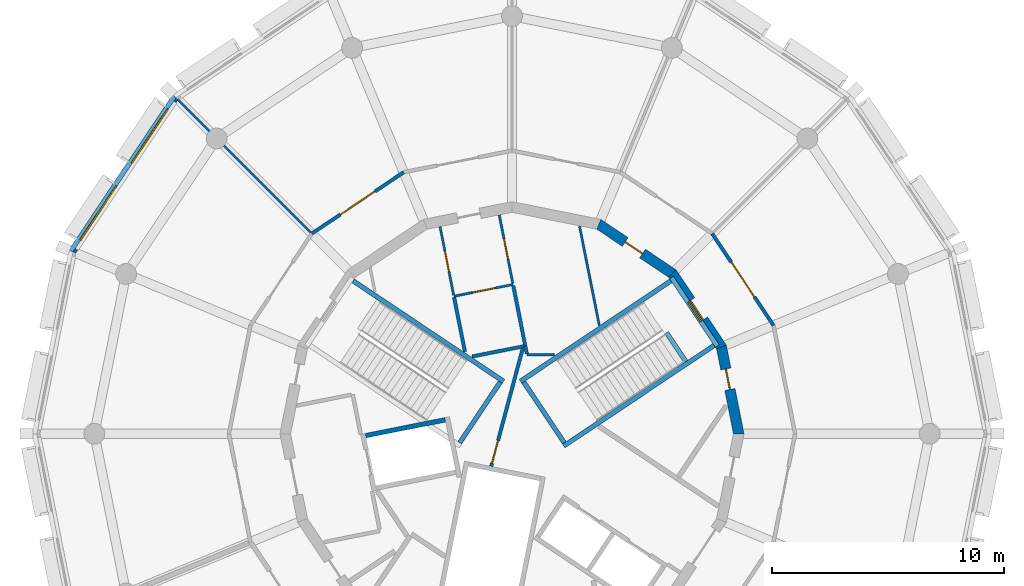
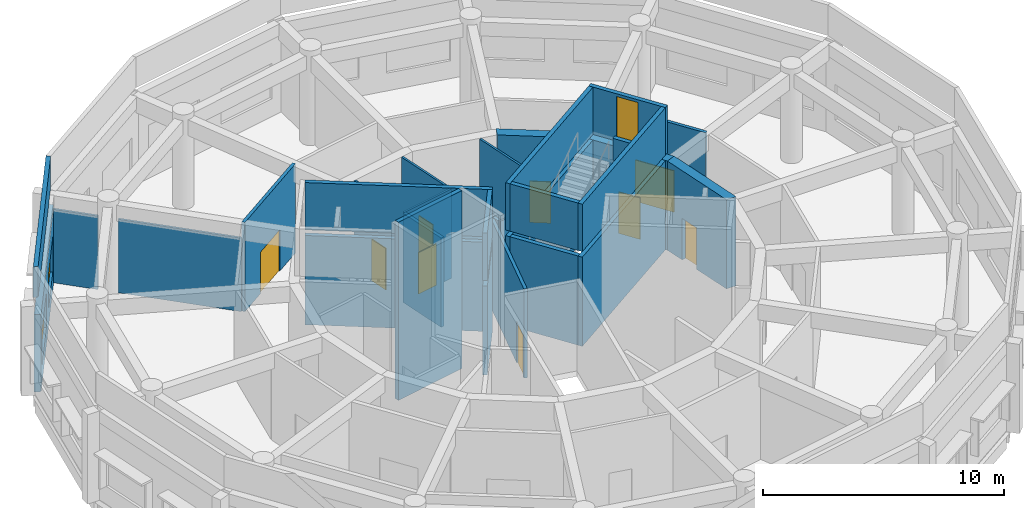
# One storey, part 5 of 8: 32 walls, 10 doors, 2 windows, 12 openings.
"""IFC4 building model written with IfcOpenShell, lengths in metres."""

from ifc_helpers import new_model, si_unit, direction, frame, frame_2d, origin, place, context, subcontext, project, spatial, polyline, rectangle, outline, extrude, material, layer, layer_set, type_object, element, fill, save


model = new_model("IFC4")

# Units and contexts
model_context = context("Model", 3, precision=1e-05, world=origin(), true_north=direction((0.0, 1.0)))
body_context = subcontext(model_context, "Body", "Model", "MODEL_VIEW")
ifc_project = project(units=[si_unit("LENGTHUNIT", "METRE"), si_unit("AREAUNIT", "SQUARE_METRE"), si_unit("VOLUMEUNIT", "CUBIC_METRE"), si_unit("PLANEANGLEUNIT", "RADIAN"), si_unit("MASSUNIT", "GRAM", prefix="KILO")], contexts=[model_context])

# Site, building, storey
site_placement = place(None, origin())
site = spatial("IfcSite", under=ifc_project, at=site_placement, CompositionType="ELEMENT")
building_placement = place(site_placement, origin())
building = spatial("IfcBuilding", under=site, at=building_placement, Name="Ceibo Conservatory and Research Tower", CompositionType="ELEMENT")
storey_placement = place(building_placement, frame((0.0, 0.0, 20.39990234375)))
storey = spatial("IfcBuildingStorey", under=building, at=storey_placement, Name="L04", CompositionType="ELEMENT", Elevation=20.39990234375)

# Wall, opening, door
ifc_material_1 = material(Name="Plasterboard on metal studs")
ifc_layer_1 = layer(ifc_material_1, 0.10009765625)
ifc_layer_set_1 = layer_set([ifc_layer_1], Name="Plasterboard on metal studs")
wall_type_1 = type_object("IfcWallType", Name="Core partition 100", PredefinedType="PARTITIONING", material=ifc_layer_set_1)
wall_1_placement = place(storey_placement, frame((48.0458984375, 126.4326171875, 0.0), z_axis=(0.0, 0.0, 1.0), x_axis=(-0.980778805994, -0.195122868248, 0.0)))
wall_1 = element("IfcWall", 1, at=wall_1_placement, inside=storey, type_object=wall_type_1, Name="Core partition 04.P008", PredefinedType="PARTITIONING", context=body_context, shape_type="SweptSolid", body=[
    extrude(rectangle(XDim=2.60009765625, YDim=0.10009765625, at=frame_2d((1.300048828125, 0.0))), origin(), (0.0, 0.0, 1.0), 4.52001953125),
])
opening_1_placement = place(wall_1_placement, frame((0.800048828125, 0.0, 0.0)))
opening_1 = element("IfcOpeningElement", 2, at=opening_1_placement, cuts=wall_1, Name="Opening C04-14", PredefinedType="OPENING", context=body_context, shape_type="SweptSolid", body=[
    extrude(rectangle(XDim=1.0, YDim=2.10009765625, at=frame_2d((0.5, 1.050048828125))), frame((0.0, 0.06005859375, 0.0), z_axis=(0.0, -1.0, 0.0), x_axis=(1.0, 0.0, 0.0)), (0.0, 0.0, 1.0), 0.1201171875),
])
ifc_material_2 = material(Name="Solid timber", Category="wood")
door_type_1 = type_object("IfcDoorType", Name="Door 1000x2100 (left hand)", OperationType="SINGLE_SWING_LEFT", PredefinedType="DOOR", material=ifc_material_2)
door_1_placement = place(opening_1_placement, origin())
door_1 = element("IfcDoor", 3, at=door_1_placement, inside=storey, type_object=door_type_1, Name="Door Accessible WC 04.01", OperationType="SINGLE_SWING_LEFT", OverallHeight=2.10009765625, OverallWidth=1.0, PredefinedType="DOOR", context=body_context, shape_type="SweptSolid", body=[
    extrude(rectangle(XDim=1.0, YDim=2.10009765625, at=frame_2d((0.5, 1.050048828125))), frame((0.0, 0.02490234375, 0.0), z_axis=(0.0, -1.0, 0.0), x_axis=(1.0, 0.0, 0.0)), (0.0, 0.0, 1.0), 0.050048828125),
])
fill(opening_1, door_1)

wall_2_placement = place(storey_placement, frame((45.486083984375, 125.974365234375, 0.0), z_axis=(0.0, 0.0, 1.0), x_axis=(-0.195054549846, 0.980792395252, 0.0)))
wall_2 = element("IfcWall", 4, at=wall_2_placement, inside=storey, type_object=wall_type_1, Name="Core partition 04.P009", PredefinedType="PARTITIONING", context=body_context, shape_type="SweptSolid", body=[
    extrude(rectangle(XDim=3.0078125, YDim=0.10009765625, at=frame_2d((1.50390625, 0.0))), origin(), (0.0, 0.0, 1.0), 4.52001953125),
])
opening_2_placement = place(wall_2_placement, frame((1.053955078125, 0.0, 0.0)))
opening_2 = element("IfcOpeningElement", 5, at=opening_2_placement, cuts=wall_2, Name="Opening C04-15", PredefinedType="OPENING", context=body_context, shape_type="SweptSolid", body=[
    extrude(rectangle(XDim=0.89990234375, YDim=2.10009765625, at=frame_2d((0.449951171875, 1.050048828125))), frame((0.0, 0.06005859375, 0.0), z_axis=(0.0, -1.0, 0.0), x_axis=(1.0, 0.0, 0.0)), (0.0, 0.0, 1.0), 0.1201171875),
])
door_type_2 = type_object("IfcDoorType", Name="Door 900x2100 (right hand)", OperationType="SINGLE_SWING_RIGHT", PredefinedType="DOOR", material=ifc_material_2)
door_2_placement = place(opening_2_placement, origin())
door_2 = element("IfcDoor", 6, at=door_2_placement, inside=storey, type_object=door_type_2, Name="Door Men WC 04.01", OperationType="SINGLE_SWING_RIGHT", OverallHeight=2.10009765625, OverallWidth=0.89990234375, PredefinedType="DOOR", context=body_context, shape_type="SweptSolid", body=[
    extrude(rectangle(XDim=0.89990234375, YDim=2.10009765625, at=frame_2d((0.449951171875, 1.050048828125))), frame((0.0, 0.02490234375, 0.0), z_axis=(0.0, -1.0, 0.0), x_axis=(1.0, 0.0, 0.0)), (0.0, 0.0, 1.0), 0.050048828125),
])
fill(opening_2, door_2)

wall_3_placement = place(storey_placement, frame((47.449462890625, 129.431640625, 0.0), z_axis=(0.0, 0.0, 1.0), x_axis=(0.195054549846, -0.980792395252, 0.0)))
wall_3 = element("IfcWall", 7, at=wall_3_placement, inside=storey, type_object=wall_type_1, Name="Core partition 04.P010", PredefinedType="PARTITIONING", context=body_context, shape_type="SweptSolid", body=[
    extrude(rectangle(XDim=3.0078125, YDim=0.10009765625, at=frame_2d((1.50390625, 0.0))), origin(), (0.0, 0.0, 1.0), 4.52001953125),
])
opening_3_placement = place(wall_3_placement, frame((1.053955078125, 0.0, 0.0)))
opening_3 = element("IfcOpeningElement", 8, at=opening_3_placement, cuts=wall_3, Name="Opening C04-16", PredefinedType="OPENING", context=body_context, shape_type="SweptSolid", body=[
    extrude(rectangle(XDim=0.89990234375, YDim=2.10009765625, at=frame_2d((0.449951171875, 1.050048828125))), frame((0.0, 0.06005859375, 0.0), z_axis=(0.0, -1.0, 0.0), x_axis=(1.0, 0.0, 0.0)), (0.0, 0.0, 1.0), 0.1201171875),
])
door_type_3 = type_object("IfcDoorType", Name="Door 900x2100 (left hand)", OperationType="SINGLE_SWING_LEFT", PredefinedType="DOOR", material=ifc_material_2)
door_3_placement = place(opening_3_placement, origin())
door_3 = element("IfcDoor", 9, at=door_3_placement, inside=storey, type_object=door_type_3, Name="Door Women WC 04.01", OperationType="SINGLE_SWING_LEFT", OverallHeight=2.10009765625, OverallWidth=0.89990234375, PredefinedType="DOOR", context=body_context, shape_type="SweptSolid", body=[
    extrude(rectangle(XDim=0.89990234375, YDim=2.10009765625, at=frame_2d((0.449951171875, 1.050048828125))), frame((0.0, 0.02490234375, 0.0), z_axis=(0.0, -1.0, 0.0), x_axis=(1.0, 0.0, 0.0)), (0.0, 0.0, 1.0), 0.050048828125),
])
fill(opening_3, door_3)

# Walls
wall_4_placement = place(storey_placement, frame((50.9111328125, 128.943359375, 0.0), z_axis=(0.0, 0.0, 1.0), x_axis=(0.195113868301, -0.980780596462, 0.0)))
element("IfcWall", 10, at=wall_4_placement, inside=storey, type_object=wall_type_1, Name="Core partition 04.P015", PredefinedType="PARTITIONING", context=body_context, shape_type="SweptSolid", body=[
    extrude(rectangle(XDim=4.35693359375, YDim=0.10009765625, at=frame_2d((2.178466796875, 0.0))), origin(), (0.0, 0.0, 1.0), 4.52001953125),
])
wall_5_placement = place(storey_placement, frame((49.823486328125, 123.39990234375, 0.0), z_axis=(0.0, 0.0, 1.0), x_axis=(-1.0, 0.0, 0.0)))
element("IfcWall", 11, at=wall_5_placement, inside=storey, type_object=wall_type_1, Name="Core partition 04.P016", PredefinedType="PARTITIONING", context=body_context, shape_type="SweptSolid", body=[
    extrude(rectangle(XDim=1.17431640625, YDim=0.10009765625, at=frame_2d((0.587158203125, 0.0))), origin(), (0.0, 0.0, 1.0), 4.52001953125),
])

# Wall, opening, door
ifc_material_3 = material(Name="Concrete C35/45", Category="concrete")
ifc_layer_2 = layer(ifc_material_3, 0.449951171875)
ifc_layer_set_2 = layer_set([ifc_layer_2], Name="Concrete C35/45")
wall_type_2 = type_object("IfcWallType", Name="Core wall 450 C35", PredefinedType="SHEAR", material=ifc_layer_set_2)
wall_6_placement = place(storey_placement, frame((57.7705078125, 120.0, 0.0), z_axis=(0.0, 0.0, 1.0), x_axis=(-0.195069197673, 0.98078948206, 0.0)))
wall_6 = element("IfcWall", 12, at=wall_6_placement, inside=storey, type_object=wall_type_2, Name="Core wall L04 01", PredefinedType="SHEAR", context=body_context, shape_type="SweptSolid", body=[
    extrude(outline(polyline([(-0.044677734375, -0.22509765625), (3.85693359375, -0.22509765625), (3.767578125, 0.22509765625), (0.044677734375, 0.22509765625), (-0.044677734375, -0.22509765625)])), origin(), (0.0, 0.0, 1.0), 4.52001953125),
])
opening_4_placement = place(wall_6_placement, frame((1.944580078125, 0.0, 0.0)))
opening_4 = element("IfcOpeningElement", 13, at=opening_4_placement, cuts=wall_6, Name="Opening C04-04", PredefinedType="OPENING", context=body_context, shape_type="SweptSolid", body=[
    extrude(rectangle(XDim=0.89990234375, YDim=2.10009765625, at=frame_2d((0.449951171875, 1.050048828125))), frame((0.0, 0.23486328125, 0.0), z_axis=(0.0, -1.0, 0.0), x_axis=(1.0, 0.0, 0.0)), (0.0, 0.0, 1.0), 0.469970703125),
])
ifc_material_4 = material(Name="Galvanised sheet steel DX51D", Category="steel")
door_type_4 = type_object("IfcDoorType", Name="Riser door 900x2100 EI 60 (left hand)", OperationType="SINGLE_SWING_LEFT", PredefinedType="DOOR", material=ifc_material_4)
door_4_placement = place(opening_4_placement, origin())
door_4 = element("IfcDoor", 14, at=door_4_placement, inside=storey, type_object=door_type_4, Name="Store door 04", OperationType="SINGLE_SWING_LEFT", OverallHeight=2.10009765625, OverallWidth=0.89990234375, PredefinedType="DOOR", context=body_context, shape_type="SweptSolid", body=[
    extrude(rectangle(XDim=0.89990234375, YDim=2.10009765625, at=frame_2d((0.449951171875, 1.050048828125))), frame((0.0, 0.02490234375, 0.0), z_axis=(0.0, -1.0, 0.0), x_axis=(1.0, 0.0, 0.0)), (0.0, 0.0, 1.0), 0.050048828125),
])
fill(opening_4, door_4)

wall_7_placement = place(storey_placement, frame((57.02685546875, 123.739013671875, 0.0), z_axis=(0.0, 0.0, 1.0), x_axis=(-0.555542277102, 0.83148829117, 0.0)))
wall_7 = element("IfcWall", 15, at=wall_7_placement, inside=storey, type_object=wall_type_2, Name="Core wall L04 02", PredefinedType="SHEAR", context=body_context, shape_type="SweptSolid", body=[
    extrude(outline(polyline([(-0.044677734375, -0.22509765625), (3.85693359375, -0.22509765625), (3.767578125, 0.22509765625), (0.044677734375, 0.22509765625), (-0.044677734375, -0.22509765625)])), origin(), (0.0, 0.0, 1.0), 4.52001953125),
])
opening_5_placement = place(wall_7_placement, frame((1.40625, 0.0, 0.0)))
opening_5 = element("IfcOpeningElement", 16, at=opening_5_placement, cuts=wall_7, Name="Opening C04-01", PredefinedType="OPENING", context=body_context, shape_type="SweptSolid", body=[
    extrude(rectangle(XDim=1.0, YDim=2.10009765625, at=frame_2d((0.5, 1.050048828125))), frame((0.0, 0.23486328125, 0.0), z_axis=(0.0, -1.0, 0.0), x_axis=(1.0, 0.0, 0.0)), (0.0, 0.0, 1.0), 0.469970703125),
])
door_type_5 = type_object("IfcDoorType", Name="Stair door 1000x2100 EI 120 (left hand)", OperationType="SINGLE_SWING_LEFT", PredefinedType="DOOR", material=ifc_material_4)
door_5_placement = place(opening_5_placement, origin())
door_5 = element("IfcDoor", 17, at=door_5_placement, inside=storey, type_object=door_type_5, Name="Stair door ST1 04", OperationType="SINGLE_SWING_LEFT", OverallHeight=2.10009765625, OverallWidth=1.0, PredefinedType="DOOR", context=body_context, shape_type="SweptSolid", body=[
    extrude(rectangle(XDim=1.0, YDim=2.10009765625, at=frame_2d((0.5, 1.050048828125))), frame((0.0, 0.02490234375, 0.0), z_axis=(0.0, -1.0, 0.0), x_axis=(1.0, 0.0, 0.0)), (0.0, 0.0, 1.0), 0.050048828125),
])
fill(opening_5, door_5)

wall_8_placement = place(storey_placement, frame((54.908935546875, 126.908935546875, 0.0), z_axis=(0.0, 0.0, 1.0), x_axis=(-0.83148829117, 0.555542277102, 0.0)))
wall_8 = element("IfcWall", 18, at=wall_8_placement, inside=storey, type_object=wall_type_2, Name="Core wall L04 03", PredefinedType="SHEAR", context=body_context, shape_type="SweptSolid", body=[
    extrude(outline(polyline([(-0.044677734375, -0.22509765625), (3.85693359375, -0.22509765625), (3.767578125, 0.22509765625), (0.044677734375, 0.22509765625), (-0.044677734375, -0.22509765625)])), origin(), (0.0, 0.0, 1.0), 4.52001953125),
])
opening_6_placement = place(wall_8_placement, frame((1.544677734375, 0.0, 0.0)))
opening_6 = element("IfcOpeningElement", 19, at=opening_6_placement, cuts=wall_8, Name="Opening C04-08", PredefinedType="OPENING", context=body_context, shape_type="SweptSolid", body=[
    extrude(rectangle(XDim=0.89990234375, YDim=2.10009765625, at=frame_2d((0.449951171875, 1.050048828125))), frame((0.0, 0.23486328125, 0.0), z_axis=(0.0, -1.0, 0.0), x_axis=(1.0, 0.0, 0.0)), (0.0, 0.0, 1.0), 0.469970703125),
])
door_6_placement = place(opening_6_placement, frame((0.89990234375, 0.0, 0.0), z_axis=(0.0, 0.0, 1.0), x_axis=(-1.0, 0.0, 0.0)))
door_6 = element("IfcDoor", 20, at=door_6_placement, inside=storey, type_object=door_type_4, Name="Electrical Riser door 04", OperationType="SINGLE_SWING_LEFT", OverallHeight=2.10009765625, OverallWidth=0.89990234375, PredefinedType="DOOR", context=body_context, shape_type="SweptSolid", body=[
    extrude(rectangle(XDim=0.89990234375, YDim=2.10009765625, at=frame_2d((0.449951171875, 1.050048828125))), frame((0.0, 0.02490234375, 0.0), z_axis=(0.0, -1.0, 0.0), x_axis=(1.0, 0.0, 0.0)), (0.0, 0.0, 1.0), 0.050048828125),
])
fill(opening_6, door_6)

# Walls
ifc_material_5 = material(Name="Plasterboard on metal studs, fire board")
ifc_layer_3 = layer(ifc_material_5, 0.14990234375)
ifc_layer_set_3 = layer_set([ifc_layer_3], Name="Plasterboard on metal studs, fire board")
wall_type_3 = type_object("IfcWallType", Name="Corridor wall 150 EI 60", PredefinedType="PARTITIONING", material=ifc_layer_set_3)
wall_9_placement = place(storey_placement, frame((48.0556640625, 126.383544921875, 0.0), z_axis=(0.0, 0.0, 1.0), x_axis=(0.195123903338, -0.980778600065, 0.0)))
element("IfcWall", 21, at=wall_9_placement, inside=storey, type_object=wall_type_3, Name="Core partition 04.P011", PredefinedType="PARTITIONING", context=body_context, shape_type="SweptSolid", body=[
    extrude(rectangle(XDim=2.650146484375, YDim=0.14990234375, at=frame_2d((1.3251953125, 0.0))), origin(), (0.0, 0.0, 1.0), 4.52001953125),
])
wall_10_placement = place(storey_placement, frame((48.523681640625, 123.774658203125, 0.0), z_axis=(0.0, 0.0, 1.0), x_axis=(-0.980777249161, -0.195130693455, 0.0)))
element("IfcWall", 22, at=wall_10_placement, inside=storey, type_object=wall_type_3, Name="Core partition 04.P012", PredefinedType="PARTITIONING", context=body_context, shape_type="SweptSolid", body=[
    extrude(rectangle(XDim=2.287109375, YDim=0.14990234375, at=frame_2d((1.1435546875, 0.0))), origin(), (0.0, 0.0, 1.0), 4.52001953125),
])
wall_11_placement = place(storey_placement, frame((45.972900390625, 123.527587890625, 0.0), z_axis=(0.0, 0.0, 1.0), x_axis=(-0.195135731435, 0.980776246815, 0.0)))
element("IfcWall", 23, at=wall_11_placement, inside=storey, type_object=wall_type_3, Name="Core partition 04.P013", PredefinedType="PARTITIONING", context=body_context, shape_type="SweptSolid", body=[
    extrude(rectangle(XDim=2.394775390625, YDim=0.14990234375, at=frame_2d((1.197265625, 0.0))), origin(), (0.0, 0.0, 1.0), 4.52001953125),
])
wall_12_placement = place(storey_placement, frame((48.639404296875, 123.448974609375, 0.0), z_axis=(0.0, 0.0, 1.0), x_axis=(-0.194880473507, 0.98082699853, 0.0)))
element("IfcWall", 24, at=wall_12_placement, inside=storey, type_object=wall_type_3, Name="Core partition 04.P017", PredefinedType="PARTITIONING", context=body_context, shape_type="SweptSolid", body=[
    extrude(rectangle(XDim=0.342041015625, YDim=0.14990234375, at=frame_2d((0.1708984375, 0.0))), origin(), (0.0, 0.0, 1.0), 4.52001953125),
])

# Wall, opening, door
wall_13_placement = place(storey_placement, frame((47.10205078125, 118.595458984375, 0.0), z_axis=(0.0, 0.0, 1.0), x_axis=(0.258814124304, 0.9659271448, 0.0)))
wall_13 = element("IfcWall", 25, at=wall_13_placement, inside=storey, type_object=wall_type_3, Name="Core partition 04.P025", PredefinedType="PARTITIONING", context=body_context, shape_type="SweptSolid", body=[
    extrude(rectangle(XDim=5.2646484375, YDim=0.14990234375, at=frame_2d((2.63232421875, 0.0))), origin(), (0.0, 0.0, 1.0), 4.52001953125),
])
opening_7_placement = place(wall_13_placement, frame((0.14990234375, 0.0, 0.0)))
opening_7 = element("IfcOpeningElement", 26, at=opening_7_placement, cuts=wall_13, Name="Opening C04-17", PredefinedType="OPENING", context=body_context, shape_type="SweptSolid", body=[
    extrude(rectangle(XDim=1.0, YDim=2.10009765625, at=frame_2d((0.5, 1.050048828125))), frame((0.0, 0.0849609375, 0.0), z_axis=(0.0, -1.0, 0.0), x_axis=(1.0, 0.0, 0.0)), (0.0, 0.0, 1.0), 0.169921875),
])
door_type_6 = type_object("IfcDoorType", Name="Lobby door 1000x2100 EI 60 (right hand)", OperationType="SINGLE_SWING_RIGHT", PredefinedType="DOOR", material=ifc_material_4)
door_7_placement = place(opening_7_placement, frame((1.0, 0.0, 0.0), z_axis=(0.0, 0.0, 1.0), x_axis=(-1.0, 0.0, 0.0)))
door_7 = element("IfcDoor", 27, at=door_7_placement, inside=storey, type_object=door_type_6, Name="Door Lift Lobby 04.01", OperationType="SINGLE_SWING_RIGHT", OverallHeight=2.10009765625, OverallWidth=1.0, PredefinedType="DOOR", context=body_context, shape_type="SweptSolid", body=[
    extrude(rectangle(XDim=1.0, YDim=2.10009765625, at=frame_2d((0.5, 1.050048828125))), frame((0.0, 0.02490234375, 0.0), z_axis=(0.0, -1.0, 0.0), x_axis=(1.0, 0.0, 0.0)), (0.0, 0.0, 1.0), 0.050048828125),
])
fill(opening_7, door_7)

wall_14_placement = place(storey_placement, frame((56.626708984375, 128.626708984375, 0.0), z_axis=(0.0, 0.0, 1.0), x_axis=(0.555552075851, -0.831481744248, 0.0)))
wall_14 = element("IfcWall", 28, at=wall_14_placement, inside=storey, type_object=wall_type_3, Name="Partition 04.001", PredefinedType="PARTITIONING", context=body_context, shape_type="SweptSolid", body=[
    extrude(rectangle(XDim=4.76025390625, YDim=0.14990234375, at=frame_2d((2.380126953125, 0.0))), origin(), (0.0, 0.0, 1.0), 4.52001953125),
])
opening_8_placement = place(wall_14_placement, frame((1.480224609375, 0.0, 0.0)))
opening_8 = element("IfcOpeningElement", 29, at=opening_8_placement, cuts=wall_14, Name="Opening T04-08", PredefinedType="OPENING", context=body_context, shape_type="SweptSolid", body=[
    extrude(rectangle(XDim=1.800048828125, YDim=2.10009765625, at=frame_2d((0.89990234375, 1.050048828125))), frame((0.0, 0.0849609375, 0.0), z_axis=(0.0, -1.0, 0.0), x_axis=(1.0, 0.0, 0.0)), (0.0, 0.0, 1.0), 0.169921875),
])
door_type_7 = type_object("IfcDoorType", Name="Door fire double 1800x2100 EI 60", OperationType="DOUBLE_DOOR_SINGLE_SWING", PredefinedType="DOOR", material=ifc_material_4)
door_8_placement = place(opening_8_placement, origin())
door_8 = element("IfcDoor", 30, at=door_8_placement, inside=storey, type_object=door_type_7, Name="Door T04-08", OperationType="DOUBLE_DOOR_SINGLE_SWING", OverallHeight=2.10009765625, OverallWidth=1.800048828125, PredefinedType="DOOR", context=body_context, shape_type="SweptSolid", body=[
    extrude(rectangle(XDim=1.800048828125, YDim=2.10009765625, at=frame_2d((0.89990234375, 1.050048828125))), frame((0.0, 0.02490234375, 0.0), z_axis=(0.0, -1.0, 0.0), x_axis=(1.0, 0.0, 0.0)), (0.0, 0.0, 1.0), 0.050048828125),
])
fill(opening_8, door_8)

wall_15_placement = place(storey_placement, frame((39.373291015625, 128.626708984375, 0.0), z_axis=(0.0, 0.0, 1.0), x_axis=(0.831481744248, 0.555552075851, 0.0)))
wall_15 = element("IfcWall", 31, at=wall_15_placement, inside=storey, type_object=wall_type_3, Name="Partition 04.005", PredefinedType="PARTITIONING", context=body_context, shape_type="SweptSolid", body=[
    extrude(rectangle(XDim=4.76025390625, YDim=0.14990234375, at=frame_2d((2.380126953125, 0.0))), origin(), (0.0, 0.0, 1.0), 4.52001953125),
])
opening_9_placement = place(wall_15_placement, frame((1.480224609375, 0.0, 0.0)))
opening_9 = element("IfcOpeningElement", 32, at=opening_9_placement, cuts=wall_15, Name="Opening T04-12", PredefinedType="OPENING", context=body_context, shape_type="SweptSolid", body=[
    extrude(rectangle(XDim=1.800048828125, YDim=2.10009765625, at=frame_2d((0.89990234375, 1.050048828125))), frame((0.0, 0.0849609375, 0.0), z_axis=(0.0, -1.0, 0.0), x_axis=(1.0, 0.0, 0.0)), (0.0, 0.0, 1.0), 0.169921875),
])
door_9_placement = place(opening_9_placement, origin())
door_9 = element("IfcDoor", 33, at=door_9_placement, inside=storey, type_object=door_type_7, Name="Door T04-12", OperationType="DOUBLE_DOOR_SINGLE_SWING", OverallHeight=2.10009765625, OverallWidth=1.800048828125, PredefinedType="DOOR", context=body_context, shape_type="SweptSolid", body=[
    extrude(rectangle(XDim=1.800048828125, YDim=2.10009765625, at=frame_2d((0.89990234375, 1.050048828125))), frame((0.0, 0.02490234375, 0.0), z_axis=(0.0, -1.0, 0.0), x_axis=(1.0, 0.0, 0.0)), (0.0, 0.0, 1.0), 0.050048828125),
])
fill(opening_9, door_9)

# Wall, openings, windows
ifc_material_6 = material(Name="Ceramic mosaic tessera")
ifc_layer_4 = layer(ifc_material_6, 0.010009765625, Name="Ceramic mosaic")
ifc_material_7 = material(Name="Polymer-modified bedding mortar")
ifc_layer_5 = layer(ifc_material_7, 0.014892578125, Name="Bedding mortar")
ifc_material_8 = material(Name="Mineral wool insulation")
ifc_layer_6 = layer(ifc_material_8, 0.050048828125, Name="Insulation")
ifc_material_9 = material(Name="Concrete C30/37", Category="concrete")
ifc_layer_7 = layer(ifc_material_9, 0.215087890625, Name="Reinforced concrete leaf")
ifc_material_10 = material(Name="Gypsum plaster")
ifc_layer_8 = layer(ifc_material_10, 0.010009765625, Name="Internal plaster")
ifc_layer_set_4 = layer_set([ifc_layer_4, ifc_layer_5, ifc_layer_6, ifc_layer_7, ifc_layer_8], Name="Concrete C30/37")
wall_type_4 = type_object("IfcWallType", Name="Facade panel wall 300", PredefinedType="SOLIDWALL", material=ifc_layer_set_4)
wall_16_placement = place(storey_placement, frame((33.50439453125, 134.49560546875, 0.0), z_axis=(0.0, 0.0, 1.0), x_axis=(-0.555573308032, -0.831467557637, 0.0)))
wall_16 = element("IfcWall", 34, at=wall_16_placement, inside=storey, type_object=wall_type_4, Name="Facade wall L04 facet 7", PredefinedType="SOLIDWALL", context=body_context, shape_type="SweptSolid", body=[
    extrude(outline(polyline([(-0.02978515625, -0.14990234375), (8.028564453125, -0.14990234375), (7.968994140625, 0.14990234375), (0.02978515625, 0.14990234375), (-0.02978515625, -0.14990234375)])), origin(), (0.0, 0.0, 1.0), 3.920166015625),
])
opening_10_placement = place(wall_16_placement, frame((0.599609375, 0.0, 0.89990234375)))
opening_10 = element("IfcOpeningElement", 35, at=opening_10_placement, cuts=wall_16, Name="Opening PW2", PredefinedType="OPENING", context=body_context, shape_type="SweptSolid", body=[
    extrude(rectangle(XDim=2.800048828125, YDim=1.800048828125, at=frame_2d((1.39990234375, 0.89990234375))), frame((0.0, 0.159912109375, 0.0), z_axis=(0.0, -1.0, 0.0), x_axis=(1.0, 0.0, 0.0)), (0.0, 0.0, 1.0), 0.320068359375),
])
opening_11_placement = place(wall_16_placement, frame((4.59912109375, 0.0, 0.89990234375)))
opening_11 = element("IfcOpeningElement", 36, at=opening_11_placement, cuts=wall_16, Name="Opening PW2", PredefinedType="OPENING", context=body_context, shape_type="SweptSolid", body=[
    extrude(rectangle(XDim=2.800048828125, YDim=1.800048828125, at=frame_2d((1.39990234375, 0.89990234375))), frame((0.0, 0.159912109375, 0.0), z_axis=(0.0, -1.0, 0.0), x_axis=(1.0, 0.0, 0.0)), (0.0, 0.0, 1.0), 0.320068359375),
])
ifc_material_11 = material(Name="Aluminium frame with double glazing", Category="aluminium")
window_type = type_object("IfcWindowType", Name="Punched window PW1 2800 x 1800", PartitioningType="DOUBLE_PANEL_VERTICAL", PredefinedType="WINDOW", material=ifc_material_11)
window_1_placement = place(opening_10_placement, origin())
window_1 = element("IfcWindow", 37, at=window_1_placement, inside=storey, type_object=window_type, Name="T.L04.F06.WIN.1", OverallHeight=1.800048828125, OverallWidth=2.800048828125, PartitioningType="DOUBLE_PANEL_VERTICAL", PredefinedType="WINDOW", context=body_context, shape_type="SweptSolid", body=[
    extrude(rectangle(XDim=2.800048828125, YDim=1.800048828125, at=frame_2d((1.39990234375, 0.89990234375))), frame((0.0, 0.030029296875, 0.0), z_axis=(0.0, -1.0, 0.0), x_axis=(1.0, 0.0, 0.0)), (0.0, 0.0, 1.0), 0.06005859375),
])
fill(opening_10, window_1)
window_2_placement = place(opening_11_placement, origin())
window_2 = element("IfcWindow", 38, at=window_2_placement, inside=storey, type_object=window_type, Name="T.L04.F06.WIN.2", OverallHeight=1.800048828125, OverallWidth=2.800048828125, PartitioningType="DOUBLE_PANEL_VERTICAL", PredefinedType="WINDOW", context=body_context, shape_type="SweptSolid", body=[
    extrude(rectangle(XDim=2.800048828125, YDim=1.800048828125, at=frame_2d((1.39990234375, 0.89990234375))), frame((0.0, 0.030029296875, 0.0), z_axis=(0.0, -1.0, 0.0), x_axis=(1.0, 0.0, 0.0)), (0.0, 0.0, 1.0), 0.06005859375),
])
fill(opening_11, window_2)

# Walls
ifc_layer_9 = layer(ifc_material_6, 0.010009765625, Name="Ceramic mosaic")
ifc_layer_10 = layer(ifc_material_9, 0.18994140625, Name="Reinforced concrete leaf")
ifc_layer_set_5 = layer_set([ifc_layer_9, ifc_layer_10], Name="Concrete C30/37")
wall_type_5 = type_object("IfcWallType", Name="Parapet wall 200", PredefinedType="PARAPET", material=ifc_layer_set_5)
wall_17_placement = place(storey_placement, frame((33.4501953125, 134.5498046875, 4.800048828125), z_axis=(0.0, 0.0, 1.0), x_axis=(-0.555570054396, -0.831469731655, 0.0)))
element("IfcWall", 39, at=wall_17_placement, inside=storey, type_object=wall_type_5, Name="Parapet L04 7", PredefinedType="PARAPET", context=body_context, shape_type="SweptSolid", body=[
    extrude(outline(polyline([(-0.019775390625, -0.10009765625), (8.04833984375, -0.10009765625), (8.0087890625, 0.10009765625), (0.019775390625, 0.10009765625), (-0.019775390625, -0.10009765625)])), origin(), (0.0, 0.0, 1.0), 1.550048828125),
])
ifc_layer_11 = layer(ifc_material_1, 0.10009765625)
ifc_layer_set_6 = layer_set([ifc_layer_11], Name="Plasterboard on metal studs")
wall_type_6 = type_object("IfcWallType", Name="Partition 100", PredefinedType="PARTITIONING", material=ifc_layer_set_6)
wall_18_placement = place(storey_placement, frame((34.9609375, 133.0390625, 0.0), z_axis=(0.0, 0.0, 1.0), x_axis=(-0.707106781187, 0.707106781187, 0.0)))
element("IfcWall", 40, at=wall_18_placement, inside=storey, type_object=wall_type_6, Name="Partition 04.035", PredefinedType="PARTITIONING", context=body_context, shape_type="SweptSolid", body=[
    extrude(rectangle(XDim=1.927001953125, YDim=0.10009765625, at=frame_2d((0.96337890625, 0.0))), origin(), (0.0, 0.0, 1.0), 3.72021484375),
])
wall_19_placement = place(storey_placement, frame((39.32275390625, 128.67724609375, 0.0), z_axis=(0.0, 0.0, 1.0), x_axis=(-0.707106781187, 0.707106781187, 0.0)))
element("IfcWall", 41, at=wall_19_placement, inside=storey, type_object=wall_type_6, Name="Partition 04.036", PredefinedType="PARTITIONING", context=body_context, shape_type="SweptSolid", body=[
    extrude(rectangle(XDim=5.28857421875, YDim=0.10009765625, at=frame_2d((2.644287109375, 0.0))), origin(), (0.0, 0.0, 1.0), 3.72021484375),
])
ifc_layer_12 = layer(ifc_material_3, 0.199951171875)
ifc_layer_set_7 = layer_set([ifc_layer_12], Name="Concrete C35/45")
wall_type_7 = type_object("IfcWallType", Name="Roof stair guard wall 200 C35", PredefinedType="SOLIDWALL", material=ifc_layer_set_7)
wall_20_placement = place(storey_placement, frame((55.49169921875, 123.111572265625, 4.9599609375), z_axis=(0.0, 0.0, 1.0), x_axis=(-0.555488691107, 0.831524091083, 0.0)))
element("IfcWall", 42, at=wall_20_placement, inside=storey, type_object=wall_type_7, Name="Roof stair guard wall ST1", PredefinedType="SOLIDWALL", context=body_context, shape_type="SweptSolid", body=[
    extrude(rectangle(XDim=1.5, YDim=0.199951171875, at=frame_2d((0.75, 0.0))), origin(), (0.0, 0.0, 1.0), 1.10009765625),
])
ifc_layer_13 = layer(ifc_material_3, 0.199951171875)
ifc_layer_set_8 = layer_set([ifc_layer_13], Name="Concrete C35/45")
wall_type_8 = type_object("IfcWallType", Name="Shaft wall 200 C35", PredefinedType="SHEAR", material=ifc_layer_set_8)
wall_21_placement = place(storey_placement, frame((45.12744140625, 120.60107421875, 0.0), z_axis=(0.0, 0.0, 1.0), x_axis=(-0.980794727808, -0.195042820694, 0.0)))
element("IfcWall", 43, at=wall_21_placement, inside=storey, type_object=wall_type_8, Name="Shaft wall LG1.S2 L04", PredefinedType="SHEAR", context=body_context, shape_type="SweptSolid", body=[
    extrude(rectangle(XDim=3.499755859375, YDim=0.199951171875, at=frame_2d((1.75, 0.0))), origin(), (0.0, 0.0, 1.0), 9.02001953125),
])
ifc_layer_14 = layer(ifc_material_3, 0.199951171875)
ifc_layer_set_9 = layer_set([ifc_layer_14], Name="Concrete C35/45")
wall_type_9 = type_object("IfcWallType", Name="Stair wall 200 C35", PredefinedType="SHEAR", material=ifc_layer_set_9)
wall_22_placement = place(storey_placement, frame((48.36474609375, 122.25830078125, 0.0), z_axis=(0.0, 0.0, 1.0), x_axis=(0.831476803301, 0.555559470779, 0.0)))
element("IfcWall", 44, at=wall_22_placement, inside=storey, type_object=wall_type_9, Name="Stair wall ST1.W1 L04", PredefinedType="SHEAR", context=body_context, shape_type="SweptSolid", body=[
    extrude(rectangle(XDim=7.7998046875, YDim=0.199951171875, at=frame_2d((3.89990234375, 0.0))), origin(), (0.0, 0.0, 1.0), 4.52001953125),
])
wall_23_placement = place(storey_placement, frame((50.225830078125, 119.472900390625, 0.0), z_axis=(0.0, 0.0, 1.0), x_axis=(0.831486463828, 0.555545012102, 0.0)))
element("IfcWall", 45, at=wall_23_placement, inside=storey, type_object=wall_type_9, Name="Stair wall ST1.W2 L04", PredefinedType="SHEAR", context=body_context, shape_type="SweptSolid", body=[
    extrude(rectangle(XDim=7.800048828125, YDim=0.199951171875, at=frame_2d((3.89990234375, 0.0))), origin(), (0.0, 0.0, 1.0), 4.52001953125),
])
wall_24_placement = place(storey_placement, frame((50.25341796875, 119.611572265625, 0.0), z_axis=(0.0, 0.0, 1.0), x_axis=(-0.55555842186, 0.831477504146, 0.0)))
element("IfcWall", 46, at=wall_24_placement, inside=storey, type_object=wall_type_9, Name="Stair wall ST1.W3 L04", PredefinedType="SHEAR", context=body_context, shape_type="SweptSolid", body=[
    extrude(rectangle(XDim=3.14990234375, YDim=0.199951171875, at=frame_2d((1.574951171875, 0.0))), origin(), (0.0, 0.0, 1.0), 4.52001953125),
])
wall_25_placement = place(storey_placement, frame((47.63525390625, 122.25830078125, 0.0), z_axis=(0.0, 0.0, 1.0), x_axis=(-0.831476803301, 0.555559470779, 0.0)))
element("IfcWall", 47, at=wall_25_placement, inside=storey, type_object=wall_type_9, Name="Stair wall ST2.W2 L04", PredefinedType="SHEAR", context=body_context, shape_type="SweptSolid", body=[
    extrude(rectangle(XDim=7.7998046875, YDim=0.199951171875, at=frame_2d((3.89990234375, 0.0))), origin(), (0.0, 0.0, 1.0), 4.52001953125),
])
wall_26_placement = place(storey_placement, frame((47.49658203125, 122.230712890625, 0.0), z_axis=(0.0, 0.0, 1.0), x_axis=(-0.55555842186, -0.831477504146, 0.0)))
element("IfcWall", 48, at=wall_26_placement, inside=storey, type_object=wall_type_9, Name="Stair wall ST2.W3 L04", PredefinedType="SHEAR", context=body_context, shape_type="SweptSolid", body=[
    extrude(rectangle(XDim=3.14990234375, YDim=0.199951171875, at=frame_2d((1.574951171875, 0.0))), origin(), (0.0, 0.0, 1.0), 4.52001953125),
])
ifc_layer_15 = layer(ifc_material_3, 0.199951171875)
ifc_layer_set_10 = layer_set([ifc_layer_15], Name="Concrete C35/45")
wall_type_10 = type_object("IfcWallType", Name="Stair wall 200 head house", PredefinedType="SOLIDWALL", material=ifc_layer_set_10)
wall_27_placement = place(storey_placement, frame((48.36474609375, 122.25830078125, 4.800048828125), z_axis=(0.0, 0.0, 1.0), x_axis=(0.831476803301, 0.555559470779, 0.0)))
element("IfcWall", 49, at=wall_27_placement, inside=storey, type_object=wall_type_10, Name="Stair head house wall ST1 W1", PredefinedType="SOLIDWALL", context=body_context, shape_type="SweptSolid", body=[
    extrude(rectangle(XDim=7.7998046875, YDim=0.199951171875, at=frame_2d((3.89990234375, 0.0))), origin(), (0.0, 0.0, 1.0), 2.39990234375),
])
wall_28_placement = place(storey_placement, frame((50.225830078125, 119.472900390625, 4.800048828125), z_axis=(0.0, 0.0, 1.0), x_axis=(0.831486463828, 0.555545012102, 0.0)))
element("IfcWall", 50, at=wall_28_placement, inside=storey, type_object=wall_type_10, Name="Stair head house wall ST1 W2", PredefinedType="SOLIDWALL", context=body_context, shape_type="SweptSolid", body=[
    extrude(rectangle(XDim=7.800048828125, YDim=0.199951171875, at=frame_2d((3.89990234375, 0.0))), origin(), (0.0, 0.0, 1.0), 2.39990234375),
])
wall_29_placement = place(storey_placement, frame((50.25341796875, 119.611572265625, 4.800048828125), z_axis=(0.0, 0.0, 1.0), x_axis=(-0.55555842186, 0.831477504146, 0.0)))
element("IfcWall", 51, at=wall_29_placement, inside=storey, type_object=wall_type_10, Name="Stair head house wall ST1 W3", PredefinedType="SOLIDWALL", context=body_context, shape_type="SweptSolid", body=[
    extrude(rectangle(XDim=3.14990234375, YDim=0.199951171875, at=frame_2d((1.574951171875, 0.0))), origin(), (0.0, 0.0, 1.0), 2.39990234375),
])

# Wall, opening, door
wall_30_placement = place(storey_placement, frame((56.85009765625, 123.778564453125, 4.800048828125), z_axis=(0.0, 0.0, 1.0), x_axis=(-0.555572709421, 0.831467957619, 0.0)))
wall_30 = element("IfcWall", 52, at=wall_30_placement, inside=storey, type_object=wall_type_10, Name="Stair head house wall ST1 E", PredefinedType="SOLIDWALL", context=body_context, shape_type="SweptSolid", body=[
    extrude(rectangle(XDim=3.55029296875, YDim=0.199951171875, at=frame_2d((1.775146484375, 0.0))), origin(), (0.0, 0.0, 1.0), 2.39990234375),
])
opening_12_placement = place(wall_30_placement, frame((1.275146484375, 0.0, 0.159912109375)))
opening_12 = element("IfcOpeningElement", 53, at=opening_12_placement, cuts=wall_30, Name="Opening RD-ST1", PredefinedType="OPENING", context=body_context, shape_type="SweptSolid", body=[
    extrude(rectangle(XDim=1.0, YDim=2.10009765625, at=frame_2d((0.5, 1.050048828125))), frame((0.0, 0.10986328125, 0.0), z_axis=(0.0, -1.0, 0.0), x_axis=(1.0, 0.0, 0.0)), (0.0, 0.0, 1.0), 0.219970703125),
])
door_10_placement = place(opening_12_placement, origin())
door_10 = element("IfcDoor", 54, at=door_10_placement, inside=storey, type_object=door_type_5, Name="Roof door ST1", OperationType="SINGLE_SWING_LEFT", OverallHeight=2.10009765625, OverallWidth=1.0, PredefinedType="DOOR", context=body_context, shape_type="SweptSolid", body=[
    extrude(rectangle(XDim=1.0, YDim=2.10009765625, at=frame_2d((0.5, 1.050048828125))), frame((0.0, 0.02490234375, 0.0), z_axis=(0.0, -1.0, 0.0), x_axis=(1.0, 0.0, 0.0)), (0.0, 0.0, 1.0), 0.050048828125),
])
fill(opening_12, door_10)

# Walls
wall_31_placement = place(storey_placement, frame((47.63525390625, 122.25830078125, 4.800048828125), z_axis=(0.0, 0.0, 1.0), x_axis=(-0.831476803301, 0.555559470779, 0.0)))
element("IfcWall", 55, at=wall_31_placement, inside=storey, type_object=wall_type_10, Name="Stair head house wall ST2 W2", PredefinedType="SOLIDWALL", context=body_context, shape_type="SweptSolid", body=[
    extrude(rectangle(XDim=7.7998046875, YDim=0.199951171875, at=frame_2d((3.89990234375, 0.0))), origin(), (0.0, 0.0, 1.0), 2.39990234375),
])
wall_32_placement = place(storey_placement, frame((47.49658203125, 122.230712890625, 4.800048828125), z_axis=(0.0, 0.0, 1.0), x_axis=(-0.55555842186, -0.831477504146, 0.0)))
element("IfcWall", 56, at=wall_32_placement, inside=storey, type_object=wall_type_10, Name="Stair head house wall ST2 W3", PredefinedType="SOLIDWALL", context=body_context, shape_type="SweptSolid", body=[
    extrude(rectangle(XDim=3.14990234375, YDim=0.199951171875, at=frame_2d((1.574951171875, 0.0))), origin(), (0.0, 0.0, 1.0), 2.39990234375),
])

save(model, "model.ifc")
